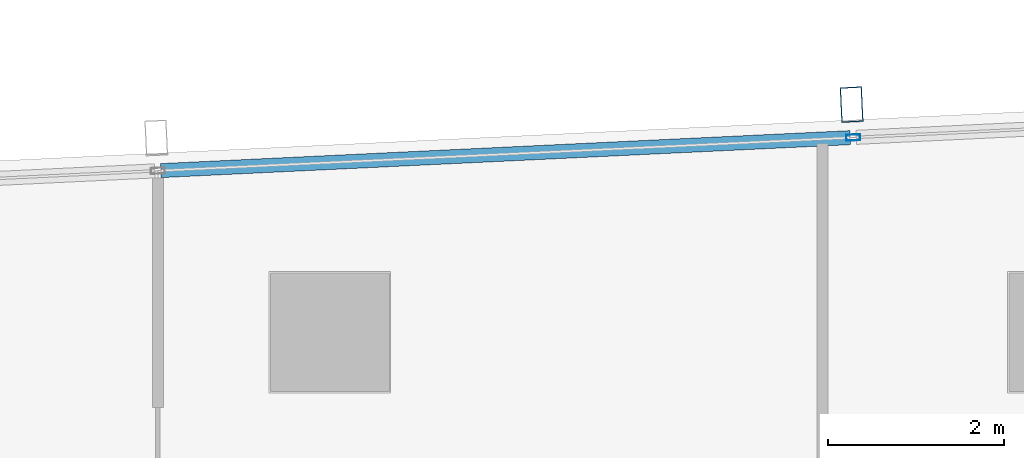
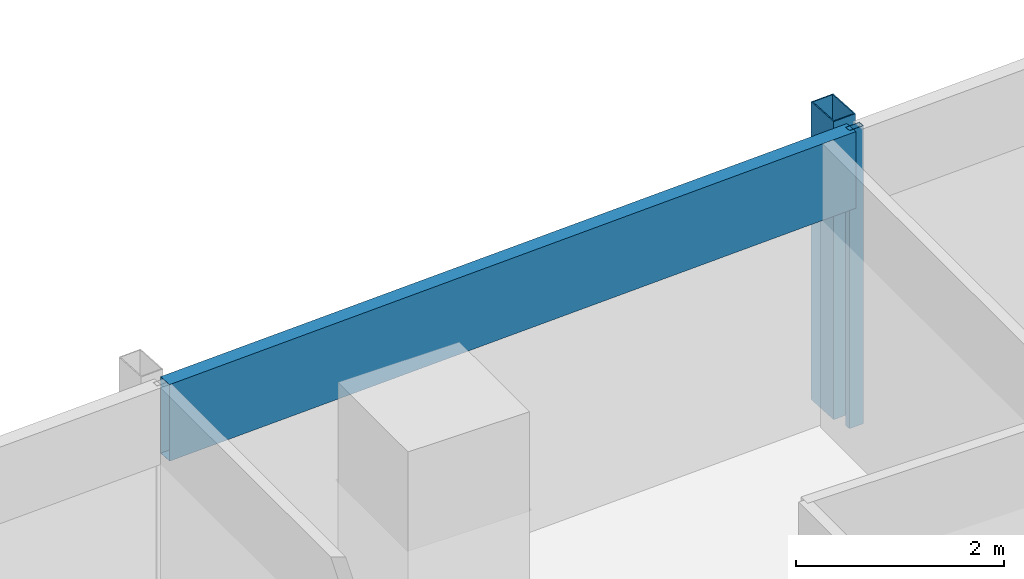
# One storey, part 18 of 39: 3 members, 1 element without a shape of its own.
"""IFC4 building model written with IfcOpenShell, lengths in metres."""

from ifc_helpers import new_model, si_unit, direction, frame, origin, origin_2d, place, context, subcontext, project, spatial, hollow_rectangle, extrude, material, material_profile, profile_set, type_object, element, aggregate, save


model = new_model("IFC4")

# Units and contexts
model_context = context("Model", 3, precision=1e-05, world=origin(), true_north=direction((0.0, 1.0)))
body_context = subcontext(model_context, "Body", "Model", "MODEL_VIEW")
ifc_project = project(units=[si_unit("LENGTHUNIT", "METRE"), si_unit("AREAUNIT", "SQUARE_METRE"), si_unit("VOLUMEUNIT", "CUBIC_METRE"), si_unit("PLANEANGLEUNIT", "RADIAN"), si_unit("MASSUNIT", "GRAM", prefix="KILO")], contexts=[model_context])

# Site, building, storey
site_placement = place(None, origin())
site = spatial("IfcSite", under=ifc_project, at=site_placement, CompositionType="ELEMENT")
building_placement = place(site_placement, origin())
building = spatial("IfcBuilding", under=site, at=building_placement, Name="Rekha Terrace Tower", CompositionType="ELEMENT")
storey_placement = place(building_placement, frame((0.0, 0.0, 217.699951171875)))
storey = spatial("IfcBuildingStorey", under=building, at=storey_placement, Name="L55", CompositionType="ELEMENT", Elevation=217.699951171875)

# Curtain wall, members
ifc_material_1 = material(Name="Aluminium framing", Category="aluminium")
curtain_wall_type = type_object("IfcCurtainWallType", Name="CW3 north unitised glazing", PredefinedType="USERDEFINED", material=ifc_material_1)
curtain_wall_placement = place(storey_placement, origin())
curtain_wall = element("IfcCurtainWall", 1, at=curtain_wall_placement, inside=storey, type_object=curtain_wall_type, Name="CW3 unitised curtain wall", ObjectType="UNITISED CURTAIN WALL", PredefinedType="USERDEFINED")
ifc_material_2 = material(Name="Steel S355 with fluorocarbon finish", Category="steel")
ifc_material_profile_1 = material_profile(ifc_material_2, hollow_rectangle(XDim=0.25, YDim=0.39990234375, WallThickness=0.012451171875, at=origin_2d()), Name="RHS400x250x12.5")
ifc_profile_set_1 = profile_set([ifc_material_profile_1], Name="Steel S355 with fluorocarbon finish")
member_type_1 = type_object("IfcMemberType", Name="BL1 facade blade RHS 400 x 250", PredefinedType="USERDEFINED", material=ifc_profile_set_1)
member_1_placement = place(storey_placement, frame((22.734130859375, 61.389404296875, 0.0), z_axis=(0.0, 0.0, 1.0), x_axis=(-0.998858913274, -0.04775846913, 0.0)))
member_1 = element("IfcMember", 2, at=member_1_placement, type_object=member_type_1, Name="Facade blade", ObjectType="FACADE BLADE", PredefinedType="USERDEFINED", context=body_context, shape_type="SweptSolid", body=[
    extrude(hollow_rectangle(XDim=0.25, YDim=0.39990234375, WallThickness=0.012451171875, at=origin_2d()), origin(), (0.0, 0.0, 1.0), 3.5),
])
ifc_material_3 = material(Name="Aluminium mullion section", Category="aluminium")
ifc_material_profile_2 = material_profile(ifc_material_3, hollow_rectangle(XDim=0.070068359375, YDim=0.159912109375, WallThickness=0.00390625, at=origin_2d()), Name="AL RHS 70x160")
ifc_profile_set_2 = profile_set([ifc_material_profile_2], Name="Aluminium mullion section")
member_type_2 = type_object("IfcMemberType", Name="CW3 mullion RHS 70 x 160", PredefinedType="MULLION", material=ifc_profile_set_2)
member_2_placement = place(storey_placement, frame((22.751953125, 61.014892578125, 0.0), z_axis=(0.0, 0.0, 1.0), x_axis=(0.047758616983, -0.998858906204, 0.0)))
member_2 = element("IfcMember", 3, at=member_2_placement, type_object=member_type_2, Name="CW3 mullion 4", PredefinedType="MULLION", context=body_context, shape_type="SweptSolid", body=[
    extrude(hollow_rectangle(XDim=0.070068359375, YDim=0.159912109375, WallThickness=0.00390625, at=origin_2d()), origin(), (0.0, 0.0, 1.0), 3.5),
])
ifc_material_4 = material(Name="Insulated aluminium spandrel box", Category="aluminium")
ifc_material_profile_3 = material_profile(ifc_material_4, hollow_rectangle(XDim=0.159912109375, YDim=0.89990234375, WallThickness=0.0029296875, at=origin_2d()), Name="AL SPANDREL BOX 160x900")
ifc_profile_set_3 = profile_set([ifc_material_profile_3], Name="Insulated aluminium spandrel box")
member_type_3 = type_object("IfcMemberType", Name="CW3 spandrel transom 160 x 900", PredefinedType="USERDEFINED", material=ifc_profile_set_3)
member_3_placement = place(storey_placement, frame((22.717041015625, 61.01318359375, 3.050048828125), z_axis=(-0.998859252362, -0.047751376635, 0.0), x_axis=(0.047751376635, -0.998859252362, 0.0)))
member_3 = element("IfcMember", 4, at=member_3_placement, type_object=member_type_3, Name="CW3 spandrel transom 4", ObjectType="TRANSOM", PredefinedType="USERDEFINED", context=body_context, shape_type="SweptSolid", body=[
    extrude(hollow_rectangle(XDim=0.159912109375, YDim=0.89990234375, WallThickness=0.0029296875, at=origin_2d()), origin(), (0.0, 0.0, 1.0), 7.84814453125),
])
aggregate(curtain_wall, [member_2, member_3, member_1])

save(model, "model.ifc")
